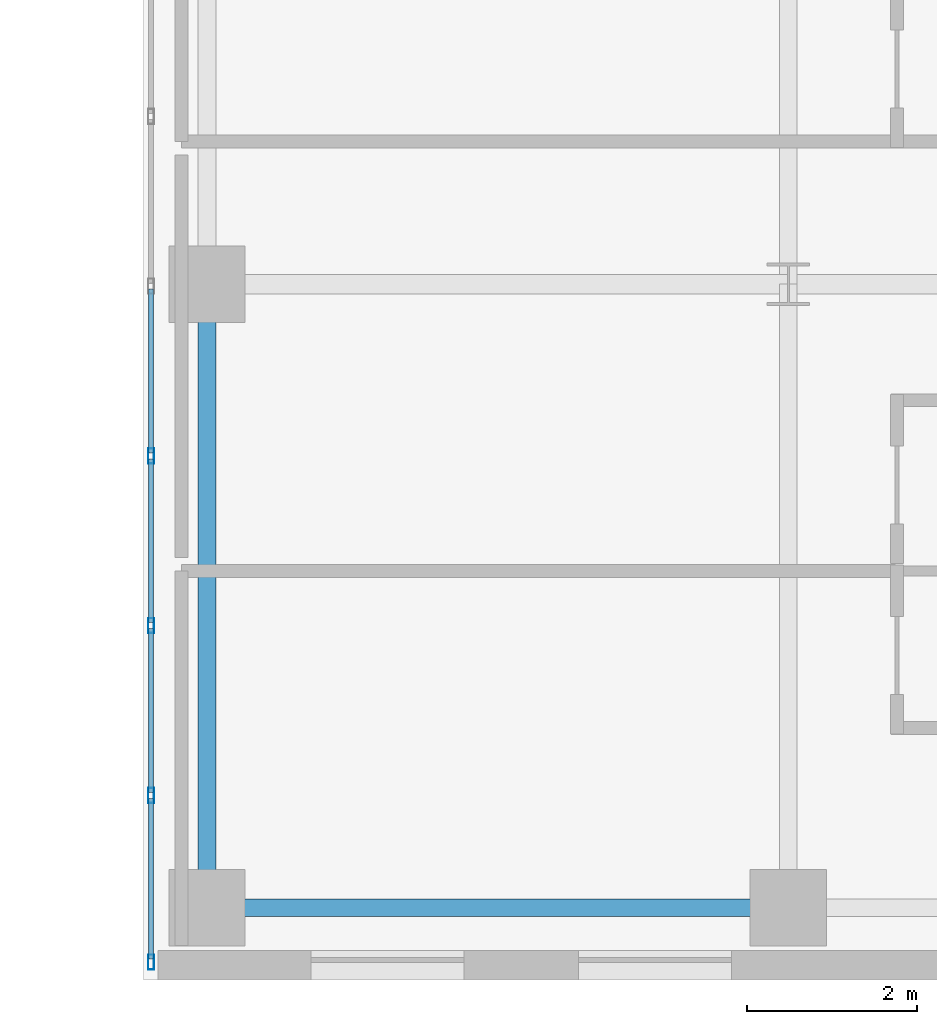
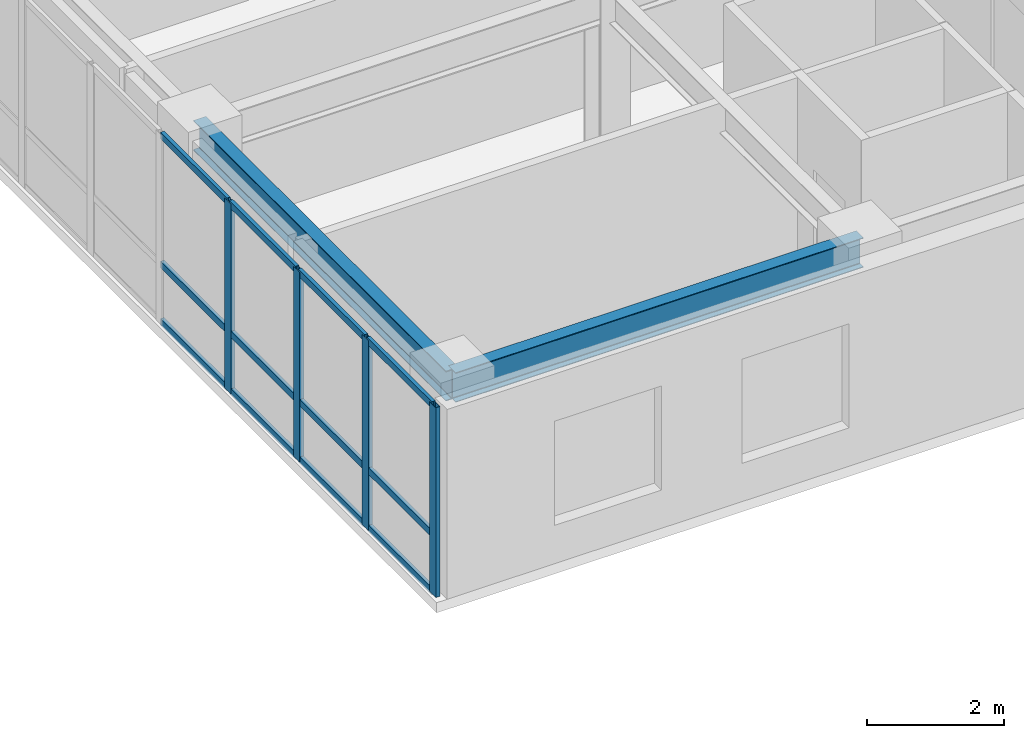
# One storey, part 5 of 16: 16 members, 2 beams, 1 element without a shape of its own.
"""IFC4 building model written with IfcOpenShell, lengths in metres."""

from ifc_helpers import new_model, si_unit, direction, frame, origin, origin_2d, place, context, subcontext, project, spatial, hollow_rectangle, i_section, extrude, source, transform, mapped, material, layer, layer_set, material_profile, profile_set, type_object, type_shapes, element, aggregate, save


model = new_model("IFC4")

# Units and contexts
model_context = context("Model", 3, precision=1e-05, world=origin(), true_north=direction((0.0, 1.0)))
body_context = subcontext(model_context, "Body", "Model", "MODEL_VIEW")
ifc_project = project(units=[si_unit("LENGTHUNIT", "METRE"), si_unit("AREAUNIT", "SQUARE_METRE"), si_unit("VOLUMEUNIT", "CUBIC_METRE"), si_unit("PLANEANGLEUNIT", "RADIAN"), si_unit("MASSUNIT", "GRAM", prefix="KILO")], contexts=[model_context])

# Site, building, storey
site_placement = place(None, origin())
site = spatial("IfcSite", under=ifc_project, at=site_placement, CompositionType="ELEMENT")
building_placement = place(site_placement, origin())
building = spatial("IfcBuilding", under=site, at=building_placement, Name="Tolvann Quenvar Hotel", CompositionType="ELEMENT")
storey_placement = place(building_placement, frame((0.0, 0.0, 115.10009765625)))
storey = spatial("IfcBuildingStorey", under=building, at=storey_placement, Name="L29", CompositionType="ELEMENT", Elevation=115.10009765625)

# Beams
ifc_material_1 = material(Name="Steel Grade 350", Category="steel")
ifc_material_profile_1 = material_profile(ifc_material_1, i_section(OverallWidth=0.208984375, OverallDepth=0.528076171875, WebThickness=0.009521484375, FlangeThickness=0.01318359375, FilletRadius=0.013916015625, at=origin_2d()), Name="530UB82")
ifc_profile_set_1 = profile_set([ifc_material_profile_1], Name="Steel Grade 350")
beam_type_1 = type_object("IfcBeamType", Name="BM_SPAND_530UB82", PredefinedType="SPANDREL", material=ifc_profile_set_1)
shared_shape_1 = source(origin(), body_context, "Body", "SweptSolid", [
    extrude(i_section(OverallWidth=0.208984375, OverallDepth=0.528076171875, WebThickness=0.009521484375, FlangeThickness=0.01318359375, FilletRadius=0.013916015625, at=origin_2d()), origin(), (0.0, 0.0, 1.0), 6.85009765625),
])
type_shapes(beam_type_1, [shared_shape_1])
beam_1_placement = place(storey_placement, frame((34.949951171875, 0.85009765625, 3.10595703125), z_axis=(1.0, 0.0, 0.0), x_axis=(0.0, 1.0, 0.0)))
element("IfcBeam", 1, at=beam_1_placement, inside=storey, type_object=beam_type_1, Name="BM-L29-EW-2-F2-H2", PredefinedType="SPANDREL", context=body_context, shape_type="MappedRepresentation", body=[
    mapped(shared_shape_1, transform((0.0, 0.0, 0.0), x_axis=(1.0, 0.0, 0.0), y_axis=(0.0, 1.0, 0.0), z_axis=(0.0, 0.0, 1.0), scale=1.0)),
])
ifc_material_profile_2 = material_profile(ifc_material_1, i_section(OverallWidth=0.208984375, OverallDepth=0.532958984375, WebThickness=0.01025390625, FlangeThickness=0.015625, FilletRadius=0.013916015625, at=origin_2d()), Name="530UB92")
ifc_profile_set_2 = profile_set([ifc_material_profile_2], Name="Steel Grade 350")
beam_type_2 = type_object("IfcBeamType", Name="BM_GIRD_530UB92", PredefinedType="BEAM", material=ifc_profile_set_2)
shared_shape_2 = source(origin(), body_context, "Body", "SweptSolid", [
    extrude(i_section(OverallWidth=0.208984375, OverallDepth=0.532958984375, WebThickness=0.01025390625, FlangeThickness=0.015625, FilletRadius=0.013916015625, at=origin_2d()), origin(), (0.0, 0.0, 1.0), 7.349853515625),
])
type_shapes(beam_type_2, [shared_shape_2])
beam_2_placement = place(storey_placement, frame((34.949951171875, 0.85009765625, 3.103515625), z_axis=(0.0, 1.0, 0.0), x_axis=(-1.0, 0.0, 0.0)))
element("IfcBeam", 2, at=beam_2_placement, inside=storey, type_object=beam_type_2, Name="BM-L29-NS-F2-F3", PredefinedType="BEAM", context=body_context, shape_type="MappedRepresentation", body=[
    mapped(shared_shape_2, transform((0.0, 0.0, 0.0), x_axis=(1.0, 0.0, 0.0), y_axis=(0.0, 1.0, 0.0), z_axis=(0.0, 0.0, 1.0), scale=1.0)),
])

# Curtain wall, members
ifc_material_2 = material(Name="Thermally broken anodised architectural aluminium 6063-T6 and laminated low-E glass", Category="aluminium")
ifc_layer = layer(ifc_material_2, 0.179931640625)
ifc_layer_set = layer_set([ifc_layer], Name="Thermally broken anodised architectural aluminium 6063-T6 and laminated low-E glass")
curtain_wall_type = type_object("IfcCurtainWallType", Name="CW_SYS_SLOT_03", PredefinedType="USERDEFINED", material=ifc_layer_set)
curtain_wall_placement = place(storey_placement, origin())
curtain_wall = element("IfcCurtainWall", 3, at=curtain_wall_placement, inside=storey, type_object=curtain_wall_type, Name="Curtain Wall CW-SLOT-03 (CWR-L29-E07)", ObjectType="UNITISED CURTAIN WALL", PredefinedType="USERDEFINED")
ifc_material_3 = material(Name="Anodised architectural aluminium 6063-T6 framing", Category="aluminium")
ifc_material_profile_3 = material_profile(ifc_material_3, hollow_rectangle(XDim=0.06005859375, YDim=0.1201171875, WallThickness=0.00341796875, at=origin_2d()), Name="120x60x3.5RHS")
ifc_profile_set_3 = profile_set([ifc_material_profile_3], Name="Anodised architectural aluminium 6063-T6 framing")
member_type_1 = type_object("IfcMemberType", Name="CW_TRAN_120x60", PredefinedType="USERDEFINED", material=ifc_profile_set_3)
shared_shape_3 = source(origin(), body_context, "Body", "SweptSolid", [
    extrude(hollow_rectangle(XDim=0.06005859375, YDim=0.1201171875, WallThickness=0.00341796875, at=origin_2d()), origin(), (0.0, 0.0, 1.0), 1.894775390625),
])
member_1_placement = place(storey_placement, frame((34.2900390625, 2.139892578125, 0.02978515625), z_axis=(0.0, -1.0, 0.0), x_axis=(1.0, 0.0, 0.0)))
member_1 = element("IfcMember", 4, at=member_1_placement, type_object=member_type_1, Name="CW-SLOT-03 transom 8.1", ObjectType="TRANSOM", PredefinedType="USERDEFINED", context=body_context, shape_type="MappedRepresentation", body=[
    mapped(shared_shape_3, transform((0.0, 0.0, 0.0), x_axis=(1.0, 0.0, 0.0), y_axis=(0.0, 1.0, 0.0), z_axis=(0.0, 0.0, 1.0), scale=1.0)),
])
member_2_placement = place(storey_placement, frame((34.2900390625, 2.139892578125, 1.0498046875), z_axis=(0.0, -1.0, 0.0), x_axis=(1.0, 0.0, 0.0)))
member_2 = element("IfcMember", 5, at=member_2_placement, type_object=member_type_1, Name="CW-SLOT-03 transom 8.2", ObjectType="TRANSOM", PredefinedType="USERDEFINED", context=body_context, shape_type="MappedRepresentation", body=[
    mapped(shared_shape_3, transform((0.0, 0.0, 0.0), x_axis=(1.0, 0.0, 0.0), y_axis=(0.0, 1.0, 0.0), z_axis=(0.0, 0.0, 1.0), scale=1.0)),
])
member_3_placement = place(storey_placement, frame((34.2900390625, 2.139892578125, 3.33984375), z_axis=(0.0, -1.0, 0.0), x_axis=(1.0, 0.0, 0.0)))
member_3 = element("IfcMember", 6, at=member_3_placement, type_object=member_type_1, Name="CW-SLOT-03 transom 8.3", ObjectType="TRANSOM", PredefinedType="USERDEFINED", context=body_context, shape_type="MappedRepresentation", body=[
    mapped(shared_shape_3, transform((0.0, 0.0, 0.0), x_axis=(1.0, 0.0, 0.0), y_axis=(0.0, 1.0, 0.0), z_axis=(0.0, 0.0, 1.0), scale=1.0)),
])
shared_shape_4 = source(origin(), body_context, "Body", "SweptSolid", [
    extrude(hollow_rectangle(XDim=0.06005859375, YDim=0.1201171875, WallThickness=0.00341796875, at=origin_2d()), origin(), (0.0, 0.0, 1.0), 1.929931640625),
])
type_shapes(member_type_1, [shared_shape_3, shared_shape_4])
member_4_placement = place(storey_placement, frame((34.2900390625, 8.139892578125, 0.02978515625), z_axis=(0.0, -1.0, 0.0), x_axis=(1.0, 0.0, 0.0)))
member_4 = element("IfcMember", 7, at=member_4_placement, type_object=member_type_1, Name="CW-SLOT-03 transom 5.1", ObjectType="TRANSOM", PredefinedType="USERDEFINED", context=body_context, shape_type="MappedRepresentation", body=[
    mapped(shared_shape_4, transform((0.0, 0.0, 0.0), x_axis=(1.0, 0.0, 0.0), y_axis=(0.0, 1.0, 0.0), z_axis=(0.0, 0.0, 1.0), scale=1.0)),
])
member_5_placement = place(storey_placement, frame((34.2900390625, 8.139892578125, 1.0498046875), z_axis=(0.0, -1.0, 0.0), x_axis=(1.0, 0.0, 0.0)))
member_5 = element("IfcMember", 8, at=member_5_placement, type_object=member_type_1, Name="CW-SLOT-03 transom 5.2", ObjectType="TRANSOM", PredefinedType="USERDEFINED", context=body_context, shape_type="MappedRepresentation", body=[
    mapped(shared_shape_4, transform((0.0, 0.0, 0.0), x_axis=(1.0, 0.0, 0.0), y_axis=(0.0, 1.0, 0.0), z_axis=(0.0, 0.0, 1.0), scale=1.0)),
])
member_6_placement = place(storey_placement, frame((34.2900390625, 8.139892578125, 3.33984375), z_axis=(0.0, -1.0, 0.0), x_axis=(1.0, 0.0, 0.0)))
member_6 = element("IfcMember", 9, at=member_6_placement, type_object=member_type_1, Name="CW-SLOT-03 transom 5.3", ObjectType="TRANSOM", PredefinedType="USERDEFINED", context=body_context, shape_type="MappedRepresentation", body=[
    mapped(shared_shape_4, transform((0.0, 0.0, 0.0), x_axis=(1.0, 0.0, 0.0), y_axis=(0.0, 1.0, 0.0), z_axis=(0.0, 0.0, 1.0), scale=1.0)),
])
member_7_placement = place(storey_placement, frame((34.2900390625, 6.139892578125, 0.02978515625), z_axis=(0.0, -1.0, 0.0), x_axis=(1.0, 0.0, 0.0)))
member_7 = element("IfcMember", 10, at=member_7_placement, type_object=member_type_1, Name="CW-SLOT-03 transom 6.1", ObjectType="TRANSOM", PredefinedType="USERDEFINED", context=body_context, shape_type="MappedRepresentation", body=[
    mapped(shared_shape_4, transform((0.0, 0.0, 0.0), x_axis=(1.0, 0.0, 0.0), y_axis=(0.0, 1.0, 0.0), z_axis=(0.0, 0.0, 1.0), scale=1.0)),
])
member_8_placement = place(storey_placement, frame((34.2900390625, 6.139892578125, 1.0498046875), z_axis=(0.0, -1.0, 0.0), x_axis=(1.0, 0.0, 0.0)))
member_8 = element("IfcMember", 11, at=member_8_placement, type_object=member_type_1, Name="CW-SLOT-03 transom 6.2", ObjectType="TRANSOM", PredefinedType="USERDEFINED", context=body_context, shape_type="MappedRepresentation", body=[
    mapped(shared_shape_4, transform((0.0, 0.0, 0.0), x_axis=(1.0, 0.0, 0.0), y_axis=(0.0, 1.0, 0.0), z_axis=(0.0, 0.0, 1.0), scale=1.0)),
])
member_9_placement = place(storey_placement, frame((34.2900390625, 6.139892578125, 3.33984375), z_axis=(0.0, -1.0, 0.0), x_axis=(1.0, 0.0, 0.0)))
member_9 = element("IfcMember", 12, at=member_9_placement, type_object=member_type_1, Name="CW-SLOT-03 transom 6.3", ObjectType="TRANSOM", PredefinedType="USERDEFINED", context=body_context, shape_type="MappedRepresentation", body=[
    mapped(shared_shape_4, transform((0.0, 0.0, 0.0), x_axis=(1.0, 0.0, 0.0), y_axis=(0.0, 1.0, 0.0), z_axis=(0.0, 0.0, 1.0), scale=1.0)),
])
member_10_placement = place(storey_placement, frame((34.2900390625, 4.139892578125, 0.02978515625), z_axis=(0.0, -1.0, 0.0), x_axis=(1.0, 0.0, 0.0)))
member_10 = element("IfcMember", 13, at=member_10_placement, type_object=member_type_1, Name="CW-SLOT-03 transom 7.1", ObjectType="TRANSOM", PredefinedType="USERDEFINED", context=body_context, shape_type="MappedRepresentation", body=[
    mapped(shared_shape_4, transform((0.0, 0.0, 0.0), x_axis=(1.0, 0.0, 0.0), y_axis=(0.0, 1.0, 0.0), z_axis=(0.0, 0.0, 1.0), scale=1.0)),
])
member_11_placement = place(storey_placement, frame((34.2900390625, 4.139892578125, 1.0498046875), z_axis=(0.0, -1.0, 0.0), x_axis=(1.0, 0.0, 0.0)))
member_11 = element("IfcMember", 14, at=member_11_placement, type_object=member_type_1, Name="CW-SLOT-03 transom 7.2", ObjectType="TRANSOM", PredefinedType="USERDEFINED", context=body_context, shape_type="MappedRepresentation", body=[
    mapped(shared_shape_4, transform((0.0, 0.0, 0.0), x_axis=(1.0, 0.0, 0.0), y_axis=(0.0, 1.0, 0.0), z_axis=(0.0, 0.0, 1.0), scale=1.0)),
])
member_12_placement = place(storey_placement, frame((34.2900390625, 4.139892578125, 3.33984375), z_axis=(0.0, -1.0, 0.0), x_axis=(1.0, 0.0, 0.0)))
member_12 = element("IfcMember", 15, at=member_12_placement, type_object=member_type_1, Name="CW-SLOT-03 transom 7.3", ObjectType="TRANSOM", PredefinedType="USERDEFINED", context=body_context, shape_type="MappedRepresentation", body=[
    mapped(shared_shape_4, transform((0.0, 0.0, 0.0), x_axis=(1.0, 0.0, 0.0), y_axis=(0.0, 1.0, 0.0), z_axis=(0.0, 0.0, 1.0), scale=1.0)),
])
ifc_material_profile_4 = material_profile(ifc_material_3, hollow_rectangle(XDim=0.070068359375, YDim=0.179931640625, WallThickness=0.00390625, at=origin_2d()), Name="180x70x4RHS")
ifc_profile_set_4 = profile_set([ifc_material_profile_4], Name="Anodised architectural aluminium 6063-T6 framing")
member_type_2 = type_object("IfcMemberType", Name="CW_MULL_180x70", PredefinedType="MULLION", material=ifc_profile_set_4)
shared_shape_5 = source(origin(), body_context, "Body", "SweptSolid", [
    extrude(hollow_rectangle(XDim=0.070068359375, YDim=0.179931640625, WallThickness=0.00390625, at=origin_2d()), origin(), (0.0, 0.0, 1.0), 3.369873046875),
])
type_shapes(member_type_2, [shared_shape_5])
member_13_placement = place(storey_placement, frame((34.2900390625, 6.175048828125, 0.0), z_axis=(0.0, 0.0, 1.0), x_axis=(1.0, 0.0, 0.0)))
member_13 = element("IfcMember", 16, at=member_13_placement, type_object=member_type_2, Name="CW-SLOT-03 mullion 6", PredefinedType="MULLION", context=body_context, shape_type="MappedRepresentation", body=[
    mapped(shared_shape_5, transform((0.0, 0.0, 0.0), x_axis=(1.0, 0.0, 0.0), y_axis=(0.0, 1.0, 0.0), z_axis=(0.0, 0.0, 1.0), scale=1.0)),
])
member_14_placement = place(storey_placement, frame((34.2900390625, 4.175048828125, 0.0), z_axis=(0.0, 0.0, 1.0), x_axis=(1.0, 0.0, 0.0)))
member_14 = element("IfcMember", 17, at=member_14_placement, type_object=member_type_2, Name="CW-SLOT-03 mullion 7", PredefinedType="MULLION", context=body_context, shape_type="MappedRepresentation", body=[
    mapped(shared_shape_5, transform((0.0, 0.0, 0.0), x_axis=(1.0, 0.0, 0.0), y_axis=(0.0, 1.0, 0.0), z_axis=(0.0, 0.0, 1.0), scale=1.0)),
])
member_15_placement = place(storey_placement, frame((34.2900390625, 2.175048828125, 0.0), z_axis=(0.0, 0.0, 1.0), x_axis=(1.0, 0.0, 0.0)))
member_15 = element("IfcMember", 18, at=member_15_placement, type_object=member_type_2, Name="CW-SLOT-03 mullion 8", PredefinedType="MULLION", context=body_context, shape_type="MappedRepresentation", body=[
    mapped(shared_shape_5, transform((0.0, 0.0, 0.0), x_axis=(1.0, 0.0, 0.0), y_axis=(0.0, 1.0, 0.0), z_axis=(0.0, 0.0, 1.0), scale=1.0)),
])
member_16_placement = place(storey_placement, frame((34.2900390625, 0.2099609375, 0.0), z_axis=(0.0, 0.0, 1.0), x_axis=(1.0, 0.0, 0.0)))
member_16 = element("IfcMember", 19, at=member_16_placement, type_object=member_type_2, Name="CW-SLOT-03 mullion 9", PredefinedType="MULLION", context=body_context, shape_type="MappedRepresentation", body=[
    mapped(shared_shape_5, transform((0.0, 0.0, 0.0), x_axis=(1.0, 0.0, 0.0), y_axis=(0.0, 1.0, 0.0), z_axis=(0.0, 0.0, 1.0), scale=1.0)),
])
aggregate(curtain_wall, [member_13, member_14, member_15, member_16, member_4, member_5, member_6, member_7, member_8, member_9, member_10, member_11, member_12, member_1, member_2, member_3])

save(model, "model.ifc")
